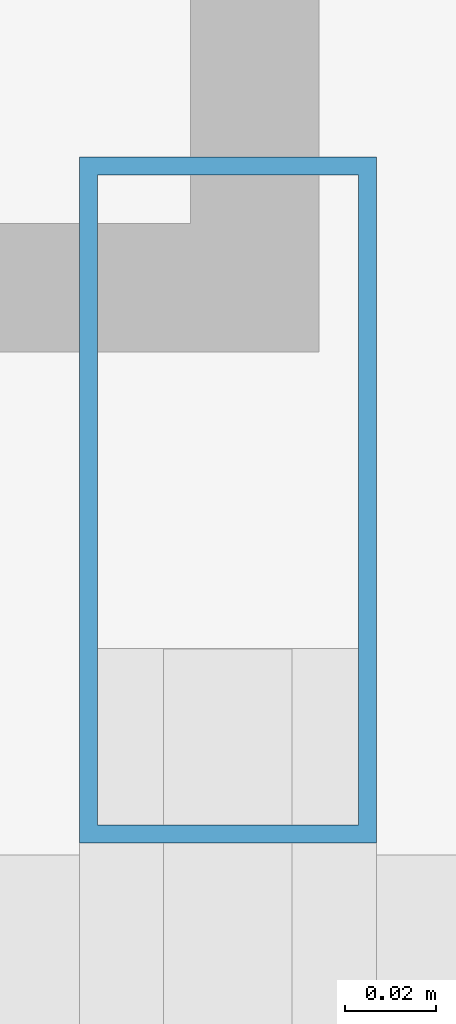
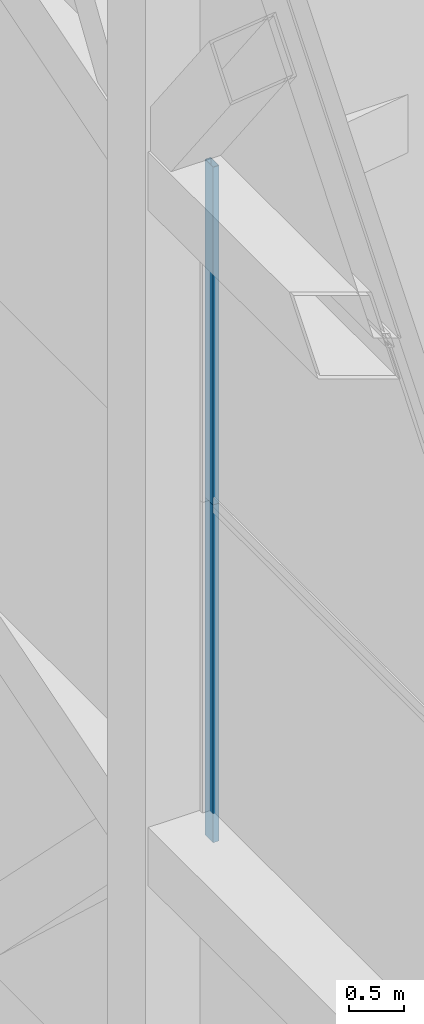
# One storey, part 15 of 28: 2 members, 2 elements without a shape of their own.
"""IFC4 building model written with IfcOpenShell, lengths in metres."""

import ifcopenshell
import ifcopenshell.guid

model = None  # the IFC model being written
_history = None  # IfcOwnerHistory: only IFC2X3 demands one
_inside = {}  # id of a spatial element -> (the spatial element, [elements in it])
_under = {}  # id of a project, library or spatial element -> (it, [spatial elements below it])
_declared = {}  # id of a project -> (the project, [libraries it declares])
_typed = {}  # id of a type object -> (the type object, [elements of that type])
_made_of = {}  # id of a material, layer set ... -> (it, [elements and type objects made of it])


def new_model(schema):
    """Start an empty IFC model of exactly this schema.

    Asked for "IFC4X3", IfcOpenShell would pick the latest addendum, in which some entities
    have other attributes; the version numbers below select the first issue.
    IFC2X3 requires an IfcOwnerHistory on every rooted entity: one is made here for all.
    """
    global model, _history
    if schema == "IFC4X3":
        model = ifcopenshell.file(schema_version=(4, 3, 0, 0))
    else:
        model = ifcopenshell.file(schema=schema)
    _inside.clear()
    _under.clear()
    _declared.clear()
    _typed.clear()
    _made_of.clear()
    _history = None
    if model.schema == "IFC2X3":
        org = make("IfcOrganization", Name="unknown")
        user = make(
            "IfcPersonAndOrganization",
            ThePerson=make("IfcPerson", FamilyName="unknown"),
            TheOrganization=org,
        )
        app = make(
            "IfcApplication",
            ApplicationDeveloper=org,
            Version="unknown",
            ApplicationFullName="unknown",
            ApplicationIdentifier="unknown",
        )
        _history = make(
            "IfcOwnerHistory",
            OwningUser=user,
            OwningApplication=app,
            ChangeAction="ADDED",
            CreationDate=0,
        )
    return model


def make(cls, **values):
    """One entity of the class cls with the attributes given. An attribute that is None is left unset."""
    return model.create_entity(
        cls, **{name: value for name, value in values.items() if value is not None}
    )


def rooted(cls, **values):
    """An entity with a GlobalId (a new one), such as an element, a storey or a relation."""
    return make(cls, GlobalId=ifcopenshell.guid.new(), OwnerHistory=_history, **values)


def si_unit(unit_type, name, prefix=None):
    """IfcSIUnit, for example si_unit("LENGTHUNIT", "METRE", prefix="MILLI")."""
    return make("IfcSIUnit", UnitType=unit_type, Prefix=prefix, Name=name)


def assignment(units):
    """IfcUnitAssignment: the units of a project."""
    return None if units is None else make("IfcUnitAssignment", Units=units)


def point(xyz):
    """IfcCartesianPoint."""
    return None if xyz is None else make("IfcCartesianPoint", Coordinates=xyz)


def direction(xyz):
    """IfcDirection."""
    return None if xyz is None else make("IfcDirection", DirectionRatios=xyz)


def frame(location, z_axis=None, x_axis=None):
    """IfcAxis2Placement3D, a coordinate frame: its origin and axes. An axis left out is left unset."""
    return make(
        "IfcAxis2Placement3D",
        Location=point(location),
        Axis=direction(z_axis),
        RefDirection=direction(x_axis),
    )


def frame_2d(location, x_axis=None):
    """IfcAxis2Placement2D, a coordinate frame in the plane: its origin and x axis."""
    return make(
        "IfcAxis2Placement2D", Location=point(location), RefDirection=direction(x_axis)
    )


def origin():
    """The frame at (0, 0, 0) with its axes left unset."""
    return frame((0.0, 0.0, 0.0))


def origin_2d():
    """The frame at (0, 0) in the plane with its x axis left unset."""
    return frame_2d((0.0, 0.0))


def place(relative_to, where):
    """IfcLocalPlacement: puts the frame where relative to a parent placement (None: the world)."""
    return make(
        "IfcLocalPlacement", PlacementRelTo=relative_to, RelativePlacement=where
    )


def context(
    kind, dimensions, precision=None, world=None, true_north=None, identifier=None
):
    """IfcGeometricRepresentationContext, for example the 3D "Model" context."""
    return make(
        "IfcGeometricRepresentationContext",
        ContextIdentifier=identifier,
        ContextType=kind,
        CoordinateSpaceDimension=dimensions,
        Precision=precision,
        WorldCoordinateSystem=world,
        TrueNorth=true_north,
    )


def subcontext(parent, identifier, kind, view, scale=None):
    """IfcGeometricRepresentationSubContext, for example "Body" below "Model"."""
    return make(
        "IfcGeometricRepresentationSubContext",
        ContextIdentifier=identifier,
        ContextType=kind,
        ParentContext=parent,
        TargetScale=scale,
        TargetView=view,
    )


def project(units=None, contexts=None):
    """IfcProject with its units and contexts."""
    return rooted(
        "IfcProject",
        Name="project",
        RepresentationContexts=contexts,
        UnitsInContext=assignment(units),
    )


def spatial(cls, under=None, at=None, **own):
    """A site, building, storey or space (cls), placed at a placement, below another one or the project."""
    s = rooted(cls, ObjectPlacement=at, **own)
    if under is not None:
        _under.setdefault(under.id(), (under, []))[1].append(s)
    return s


def profile(cls, at=None, kind="AREA", **sizes):
    """A parametric profile (cls). Its sizes go by their IFC names, for example OverallWidth=200.0."""
    return make(cls, ProfileType=kind, Position=at, **sizes)


def hollow_rectangle(**sizes):
    """IfcRectangleHollowProfileDef."""
    return profile("IfcRectangleHollowProfileDef", **sizes)


def extrude(swept, where, along, depth):
    """IfcExtrudedAreaSolid: the profile swept, set in the frame where, extruded along a direction by depth."""
    return make(
        "IfcExtrudedAreaSolid",
        SweptArea=swept,
        Position=where,
        ExtrudedDirection=direction(along),
        Depth=depth,
    )


def shape(context_of_items, identifier, shape_type, items):
    """IfcShapeRepresentation: the items that make up one representation, for example the "Body"."""
    return make(
        "IfcShapeRepresentation",
        ContextOfItems=context_of_items,
        RepresentationIdentifier=identifier,
        RepresentationType=shape_type,
        Items=items,
    )


def material(Name=None, Category=None):
    """IfcMaterial."""
    return make("IfcMaterial", Name=Name, Category=Category)


def material_profile(
    of_material, cross_section, Name=None, Category=None, Priority=None
):
    """IfcMaterialProfile: a cross section and its material."""
    return make(
        "IfcMaterialProfile",
        Name=Name,
        Material=of_material,
        Profile=cross_section,
        Priority=Priority,
        Category=Category,
    )


def profile_set(profiles, Name=None, composite=None):
    """IfcMaterialProfileSet."""
    return make(
        "IfcMaterialProfileSet",
        Name=Name,
        MaterialProfiles=profiles,
        CompositeProfile=composite,
    )


def made_of(thing, what):
    """Note that an element or type object is made of a material, layer set ...; save() writes the relation."""
    if what is not None:
        _made_of.setdefault(what.id(), (what, []))[1].append(thing)
    return thing


def type_object(cls, material=None, **own):
    """A type object (cls), such as IfcWallType, which elements share."""
    return made_of(rooted(cls, **own), material)


def element(
    cls,
    number,
    at=None,
    inside=None,
    cuts=None,
    type_object=None,
    material=None,
    context=None,
    identifier="Body",
    shape_type=None,
    held_by="IfcProductDefinitionShape",
    body=None,
    shapes=None,
    **own,
):
    """One element of the class cls, such as IfcWall. Its Tag is "e" and its number.

    at: its placement. inside: the storey or other place that contains it. cuts: it is an
    opening in that element (IfcRelVoidsElement). A single representation is given by context,
    identifier, shape_type and body (its items); several are given by shapes. held_by: the class
    of the entity that holds the representations. save() writes the other relations.
    """
    e = rooted(cls, Tag="e%d" % number, ObjectPlacement=at, **own)
    if body is not None:
        shapes = [shape(context, identifier, shape_type, body)]
    if shapes is not None:
        e.Representation = make(held_by, Representations=shapes)
    if inside is not None:
        _inside.setdefault(inside.id(), (inside, []))[1].append(e)
    if cuts is not None:
        rooted(
            "IfcRelVoidsElement", RelatingBuildingElement=cuts, RelatedOpeningElement=e
        )
    if type_object is not None:
        _typed.setdefault(type_object.id(), (type_object, []))[1].append(e)
    return made_of(e, material)


def aggregate(whole, parts):
    """IfcRelAggregates: a whole, such as a stair, and the parts it consists of."""
    return rooted("IfcRelAggregates", RelatingObject=whole, RelatedObjects=parts)


def save(model, path):
    """Write the relations noted so far, then the file.

    IfcRelAggregates (storeys below a building ...), IfcRelContainedInSpatialStructure (elements
    in a storey), IfcRelDefinesByType, IfcRelAssociatesMaterial and IfcRelDeclares: one each for
    every whole, place, type object, material and project.
    """
    for whole, parts in _under.values():
        aggregate(whole, parts)
    for where, things in _inside.values():
        rooted(
            "IfcRelContainedInSpatialStructure",
            RelatedElements=things,
            RelatingStructure=where,
        )
    for kind, things in _typed.values():
        rooted("IfcRelDefinesByType", RelatedObjects=things, RelatingType=kind)
    for what, things in _made_of.values():
        rooted("IfcRelAssociatesMaterial", RelatedObjects=things, RelatingMaterial=what)
    for by, libraries in _declared.values():
        rooted("IfcRelDeclares", RelatingContext=by, RelatedDefinitions=libraries)
    model.write(path)


model = new_model("IFC4")

# Units and contexts
model_context = context("Model", 3, precision=1e-05, world=origin(), true_north=direction((0.0, 1.0)))
body_context = subcontext(model_context, "Body", "Model", "MODEL_VIEW")
ifc_project = project(units=[si_unit("LENGTHUNIT", "METRE"), si_unit("AREAUNIT", "SQUARE_METRE"), si_unit("VOLUMEUNIT", "CUBIC_METRE"), si_unit("PLANEANGLEUNIT", "RADIAN"), si_unit("MASSUNIT", "GRAM", prefix="KILO")], contexts=[model_context])

# Site, building, storey
site_placement = place(None, origin())
site = spatial("IfcSite", under=ifc_project, at=site_placement, CompositionType="ELEMENT")
building_placement = place(site_placement, origin())
building = spatial("IfcBuilding", under=site, at=building_placement, Name="Tashvorn Skyway Center", CompositionType="ELEMENT")
storey_placement = place(building_placement, frame((0.0, 0.0, 277.60009765625)))
storey = spatial("IfcBuildingStorey", under=building, at=storey_placement, Name="Roof Level", CompositionType="ELEMENT", Elevation=277.60009765625)

# Curtain wall, member
ifc_material = material(Name="Thermally broken bronze-anodized aluminium 6063-T6", Category="aluminium")
curtain_wall_type = type_object("IfcCurtainWallType", Name="CW-CW-SKY", PredefinedType="NOTDEFINED", material=ifc_material)
curtain_wall_1_placement = place(storey_placement, origin())
curtain_wall_1 = element("IfcCurtainWall", 1, at=curtain_wall_1_placement, inside=storey, type_object=curtain_wall_type, Name="CROWN Lantern Fritted Curtain Wall T1 W-3", PredefinedType="NOTDEFINED")
ifc_material_profile = material_profile(ifc_material, hollow_rectangle(XDim=0.06494140625, YDim=0.14990234375, WallThickness=0.00390625, at=origin_2d()), Name="ALU-MULL-65x150")
ifc_profile_set = profile_set([ifc_material_profile], Name="Thermally broken bronze-anodized aluminium 6063-T6")
member_type = type_object("IfcMemberType", Name="CWM-CW-SKY", PredefinedType="MULLION", material=ifc_profile_set)
member_1_placement = place(storey_placement, frame((27.780029296875, 37.017578125, 7.52978515625), z_axis=(0.0, 0.0, 1.0), x_axis=(-1.0, 0.0, 0.0)))
member_1 = element("IfcMember", 2, at=member_1_placement, type_object=member_type, Name="CW-SKY mullion 3", PredefinedType="MULLION", context=body_context, shape_type="SweptSolid", body=[
    extrude(hollow_rectangle(XDim=0.06494140625, YDim=0.14990234375, WallThickness=0.00390625, at=origin_2d()), origin(), (0.0, 0.0, 1.0), 3.76513671875),
])
aggregate(curtain_wall_1, [member_1])

curtain_wall_2_placement = place(storey_placement, origin())
curtain_wall_2 = element("IfcCurtainWall", 3, at=curtain_wall_2_placement, inside=storey, type_object=curtain_wall_type, Name="CROWN Lantern Fritted Curtain Wall T1 W-4", PredefinedType="NOTDEFINED")
member_2_placement = place(storey_placement, frame((27.780029296875, 37.017578125, 11.294921875), z_axis=(0.0, 0.0, 1.0), x_axis=(-1.0, 0.0, 0.0)))
member_2 = element("IfcMember", 4, at=member_2_placement, type_object=member_type, Name="CW-SKY mullion 3", PredefinedType="MULLION", context=body_context, shape_type="SweptSolid", body=[
    extrude(hollow_rectangle(XDim=0.06494140625, YDim=0.14990234375, WallThickness=0.00390625, at=origin_2d()), origin(), (0.0, 0.0, 1.0), 3.764892578125),
])
aggregate(curtain_wall_2, [member_2])

save(model, "model.ifc")
